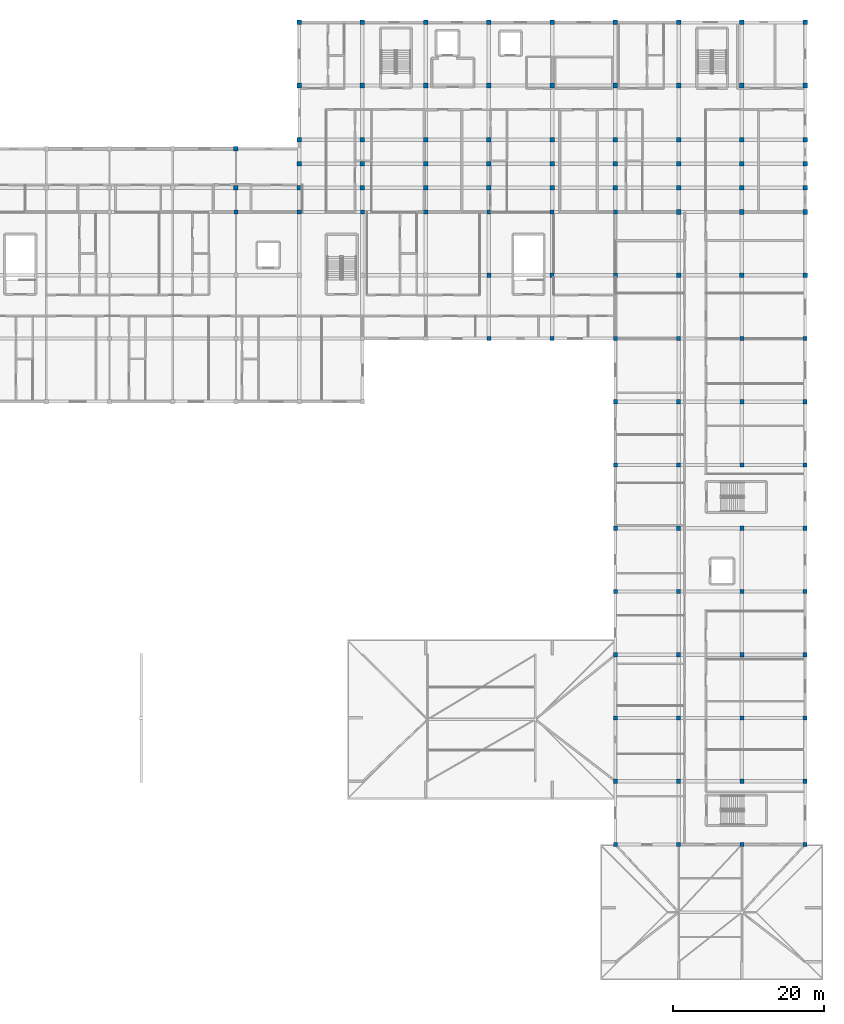
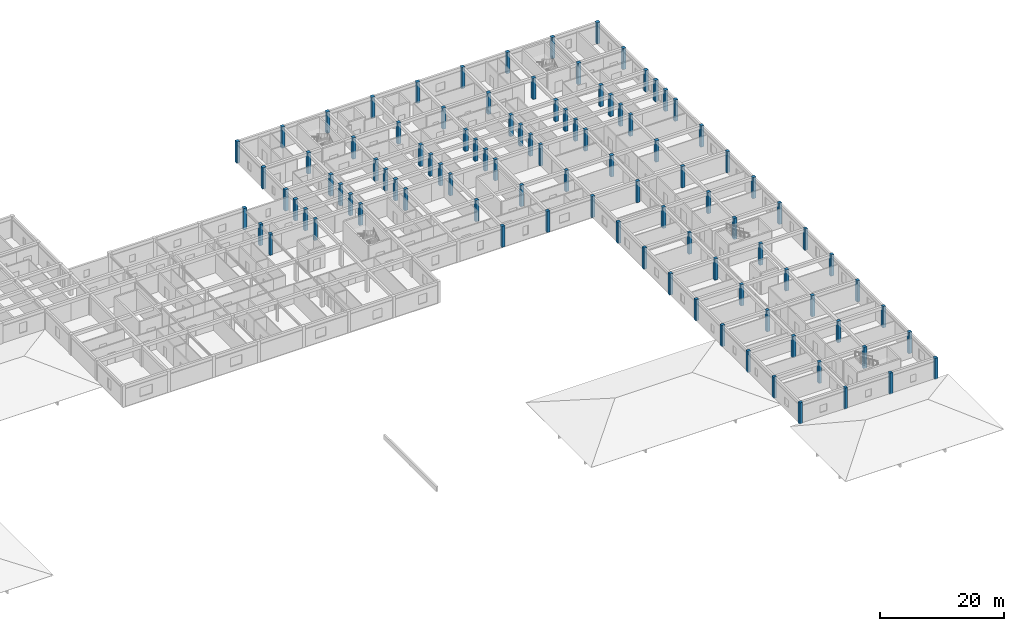
# One storey, part 5 of 42: 101 columns.
"""IFC4 building model written with IfcOpenShell, lengths in metres."""

from ifc_helpers import new_model, si_unit, direction, frame, origin, origin_2d, place, context, subcontext, project, spatial, rectangle, extrude, material, material_profile, profile_set, type_object, element, save


model = new_model("IFC4")

# Units and contexts
model_context = context("Model", 3, precision=1e-05, world=origin(), true_north=direction((0.0, 1.0)))
body_context = subcontext(model_context, "Body", "Model", "MODEL_VIEW")
ifc_project = project(units=[si_unit("LENGTHUNIT", "METRE"), si_unit("AREAUNIT", "SQUARE_METRE"), si_unit("VOLUMEUNIT", "CUBIC_METRE"), si_unit("PLANEANGLEUNIT", "RADIAN"), si_unit("MASSUNIT", "GRAM", prefix="KILO")], contexts=[model_context])

# Site, building, storey
site_placement = place(None, origin())
site = spatial("IfcSite", under=ifc_project, at=site_placement, CompositionType="ELEMENT")
building_placement = place(site_placement, origin())
building = spatial("IfcBuilding", under=site, at=building_placement, Name="Varncliffe General Hospital", CompositionType="ELEMENT")
storey_placement = place(building_placement, frame((0.0, 0.0, 20.39990234375)))
storey = spatial("IfcBuildingStorey", under=building, at=storey_placement, Name="L04", CompositionType="ELEMENT", Elevation=20.39990234375)

# Columns
ifc_material = material(Name="Concrete C40/50 (CSA A23.1 40 MPa)", Category="concrete")
ifc_material_profile_1 = material_profile(ifc_material, rectangle(XDim=0.550048828125, YDim=0.550048828125, at=origin_2d()), Name="RC 550x550")
ifc_profile_set_1 = profile_set([ifc_material_profile_1], Name="Concrete C40/50 (CSA A23.1 40 MPa)")
column_type_1 = type_object("IfcColumnType", Name="Column C26 (Ext RC 550x550)", PredefinedType="COLUMN", material=ifc_profile_set_1)
for number, where, z_axis, x_axis, name in (
    (1, (134.39990234375, 82.800048828125, 0.0), (0.0, 0.0, 1.0), (1.0, 0.0, 0.0), "L04 Column C26"),
    (2, (142.800048828125, 82.800048828125, 0.0), (0.0, 0.0, 1.0), (1.0, 0.0, 0.0), "L04 Column C26"),
    (3, (151.199951171875, 15.60009765625, 0.0), (0.0, 0.0, 1.0), (1.0, 0.0, 0.0), "L04 Column C26"),
    (4, (151.199951171875, 24.0, 0.0), (0.0, 0.0, 1.0), (1.0, 0.0, 0.0), "L04 Column C26"),
    (5, (151.199951171875, 32.39990234375, 0.0), (0.0, 0.0, 1.0), (1.0, 0.0, 0.0), "L04 Column C26"),
    (6, (151.199951171875, 40.800048828125, 0.0), (0.0, 0.0, 1.0), (1.0, 0.0, 0.0), "L04 Column C26"),
    (7, (151.199951171875, 49.199951171875, 0.0), (0.0, 0.0, 1.0), (1.0, 0.0, 0.0), "L04 Column C26"),
    (8, (151.199951171875, 57.60009765625, 0.0), (0.0, 0.0, 1.0), (1.0, 0.0, 0.0), "L04 Column C26"),
    (9, (151.199951171875, 66.0, 0.0), (0.0, 0.0, 1.0), (1.0, 0.0, 0.0), "L04 Column C26"),
    (10, (151.199951171875, 74.39990234375, 0.0), (0.0, 0.0, 1.0), (1.0, 0.0, 0.0), "L04 Column C26"),
    (11, (151.199951171875, 82.800048828125, 0.0), (0.0, 0.0, 1.0), (1.0, 0.0, 0.0), "L04 Column C26"),
    (12, (159.60009765625, 15.60009765625, 0.0), (0.0, 0.0, 1.0), (1.0, 0.0, 0.0), "L04 Column C26"),
    (13, (168.0, 15.60009765625, 0.0), (0.0, 0.0, 1.0), (1.0, 0.0, 0.0), "L04 Column C26"),
    (14, (176.39990234375, 15.60009765625, 0.0), (0.0, 0.0, 1.0), (1.0, 0.0, 0.0), "L04 Column C26"),
    (15, (176.39990234375, 24.0, 0.0), (0.0, 0.0, 1.0), (1.0, 0.0, 0.0), "L04 Column C26"),
    (16, (176.39990234375, 32.39990234375, 0.0), (0.0, 0.0, 1.0), (1.0, 0.0, 0.0), "L04 Column C26"),
    (17, (176.39990234375, 40.800048828125, 0.0), (0.0, 0.0, 1.0), (1.0, 0.0, 0.0), "L04 Column C26"),
    (18, (176.39990234375, 49.199951171875, 0.0), (0.0, 0.0, 1.0), (1.0, 0.0, 0.0), "L04 Column C26"),
    (19, (176.39990234375, 57.60009765625, 0.0), (0.0, 0.0, 1.0), (1.0, 0.0, 0.0), "L04 Column C26"),
    (20, (176.39990234375, 66.0, 0.0), (0.0, 0.0, 1.0), (1.0, 0.0, 0.0), "L04 Column C26"),
    (21, (176.39990234375, 74.39990234375, 0.0), (0.0, 0.0, 1.0), (1.0, 0.0, 0.0), "L04 Column C26"),
    (22, (176.39990234375, 82.800048828125, 0.0), (0.0, 0.0, 1.0), (1.0, 0.0, 0.0), "L04 Column C26"),
):
    element("IfcColumn", number, at=place(storey_placement, frame(where, z_axis=z_axis, x_axis=x_axis)), inside=storey, type_object=column_type_1, Name=name, PredefinedType="COLUMN", context=body_context, shape_type="SweptSolid", body=[
        extrude(rectangle(XDim=0.550048828125, YDim=0.550048828125, at=origin_2d()), origin(), (0.0, 0.0, 1.0), 4.2001953125),
    ])
ifc_material_profile_2 = material_profile(ifc_material, rectangle(XDim=0.60009765625, YDim=0.60009765625, at=origin_2d()), Name="RC 600x600")
ifc_profile_set_2 = profile_set([ifc_material_profile_2], Name="Concrete C40/50 (CSA A23.1 40 MPa)")
column_type_2 = type_object("IfcColumnType", Name="Column C27 (Ext RC 600x600)", PredefinedType="COLUMN", material=ifc_profile_set_2)
for number, where, z_axis, x_axis, name in (
    (23, (100.800048828125, 108.0, 0.0), (0.0, 0.0, 1.0), (1.0, 0.0, 0.0), "L04 Column C27"),
    (24, (109.199951171875, 109.199951171875, 0.0), (0.0, 0.0, 1.0), (1.0, 0.0, 0.0), "L04 Column C27"),
    (25, (109.199951171875, 116.39990234375, 0.0), (0.0, 0.0, 1.0), (1.0, 0.0, 0.0), "L04 Column C27"),
    (26, (109.199951171875, 124.800048828125, 0.0), (0.0, 0.0, 1.0), (1.0, 0.0, 0.0), "L04 Column C27"),
    (27, (117.60009765625, 124.800048828125, 0.0), (0.0, 0.0, 1.0), (1.0, 0.0, 0.0), "L04 Column C27"),
    (28, (126.0, 124.800048828125, 0.0), (0.0, 0.0, 1.0), (1.0, 0.0, 0.0), "L04 Column C27"),
    (29, (134.39990234375, 124.800048828125, 0.0), (0.0, 0.0, 1.0), (1.0, 0.0, 0.0), "L04 Column C27"),
    (30, (142.800048828125, 124.800048828125, 0.0), (0.0, 0.0, 1.0), (1.0, 0.0, 0.0), "L04 Column C27"),
    (31, (151.199951171875, 124.800048828125, 0.0), (0.0, 0.0, 1.0), (1.0, 0.0, 0.0), "L04 Column C27"),
    (32, (159.60009765625, 124.800048828125, 0.0), (0.0, 0.0, 1.0), (1.0, 0.0, 0.0), "L04 Column C27"),
    (33, (168.0, 124.800048828125, 0.0), (0.0, 0.0, 1.0), (1.0, 0.0, 0.0), "L04 Column C27"),
    (34, (176.39990234375, 91.199951171875, 0.0), (0.0, 0.0, 1.0), (1.0, 0.0, 0.0), "L04 Column C27"),
    (35, (176.39990234375, 99.60009765625, 0.0), (0.0, 0.0, 1.0), (1.0, 0.0, 0.0), "L04 Column C27"),
    (36, (176.39990234375, 102.800048828125, 0.0), (0.0, 0.0, 1.0), (1.0, 0.0, 0.0), "L04 Column C27"),
    (37, (176.39990234375, 106.0, 0.0), (0.0, 0.0, 1.0), (1.0, 0.0, 0.0), "L04 Column C27"),
    (38, (176.39990234375, 109.199951171875, 0.0), (0.0, 0.0, 1.0), (1.0, 0.0, 0.0), "L04 Column C27"),
    (39, (176.39990234375, 116.39990234375, 0.0), (0.0, 0.0, 1.0), (1.0, 0.0, 0.0), "L04 Column C27"),
    (40, (176.39990234375, 124.800048828125, 0.0), (0.0, 0.0, 1.0), (1.0, 0.0, 0.0), "L04 Column C27"),
):
    element("IfcColumn", number, at=place(storey_placement, frame(where, z_axis=z_axis, x_axis=x_axis)), inside=storey, type_object=column_type_2, Name=name, PredefinedType="COLUMN", context=body_context, shape_type="SweptSolid", body=[
        extrude(rectangle(XDim=0.60009765625, YDim=0.60009765625, at=origin_2d()), origin(), (0.0, 0.0, 1.0), 4.2001953125),
    ])
ifc_material_profile_3 = material_profile(ifc_material, rectangle(XDim=0.60009765625, YDim=0.60009765625, at=origin_2d()), Name="RC 600x600")
ifc_profile_set_3 = profile_set([ifc_material_profile_3], Name="Concrete C40/50 (CSA A23.1 40 MPa)")
column_type_3 = type_object("IfcColumnType", Name="Column C82 (Int RC 600x600)", PredefinedType="COLUMN", material=ifc_profile_set_3)
for number, where, z_axis, x_axis, name in (
    (41, (100.800048828125, 102.800048828125, 0.0), (0.0, 0.0, 1.0), (1.0, 0.0, 0.0), "L04 Column C82"),
    (42, (109.199951171875, 102.800048828125, 0.0), (0.0, 0.0, 1.0), (1.0, 0.0, 0.0), "L04 Column C82"),
    (43, (109.199951171875, 106.0, 0.0), (0.0, 0.0, 1.0), (1.0, 0.0, 0.0), "L04 Column C82"),
    (44, (117.60009765625, 102.800048828125, 0.0), (0.0, 0.0, 1.0), (1.0, 0.0, 0.0), "L04 Column C82"),
    (45, (117.60009765625, 106.0, 0.0), (0.0, 0.0, 1.0), (1.0, 0.0, 0.0), "L04 Column C82"),
    (46, (117.60009765625, 109.199951171875, 0.0), (0.0, 0.0, 1.0), (1.0, 0.0, 0.0), "L04 Column C82"),
    (47, (117.60009765625, 116.39990234375, 0.0), (0.0, 0.0, 1.0), (1.0, 0.0, 0.0), "L04 Column C82"),
    (48, (126.0, 102.800048828125, 0.0), (0.0, 0.0, 1.0), (1.0, 0.0, 0.0), "L04 Column C82"),
    (49, (126.0, 106.0, 0.0), (0.0, 0.0, 1.0), (1.0, 0.0, 0.0), "L04 Column C82"),
    (50, (126.0, 109.199951171875, 0.0), (0.0, 0.0, 1.0), (1.0, 0.0, 0.0), "L04 Column C82"),
    (51, (126.0, 116.39990234375, 0.0), (0.0, 0.0, 1.0), (1.0, 0.0, 0.0), "L04 Column C82"),
    (52, (134.39990234375, 102.800048828125, 0.0), (0.0, 0.0, 1.0), (1.0, 0.0, 0.0), "L04 Column C82"),
    (53, (134.39990234375, 106.0, 0.0), (0.0, 0.0, 1.0), (1.0, 0.0, 0.0), "L04 Column C82"),
    (54, (134.39990234375, 109.199951171875, 0.0), (0.0, 0.0, 1.0), (1.0, 0.0, 0.0), "L04 Column C82"),
    (55, (134.39990234375, 116.39990234375, 0.0), (0.0, 0.0, 1.0), (1.0, 0.0, 0.0), "L04 Column C82"),
    (56, (142.800048828125, 102.800048828125, 0.0), (0.0, 0.0, 1.0), (1.0, 0.0, 0.0), "L04 Column C82"),
    (57, (142.800048828125, 106.0, 0.0), (0.0, 0.0, 1.0), (1.0, 0.0, 0.0), "L04 Column C82"),
    (58, (142.800048828125, 109.199951171875, 0.0), (0.0, 0.0, 1.0), (1.0, 0.0, 0.0), "L04 Column C82"),
    (59, (142.800048828125, 116.39990234375, 0.0), (0.0, 0.0, 1.0), (1.0, 0.0, 0.0), "L04 Column C82"),
    (60, (151.199951171875, 102.800048828125, 0.0), (0.0, 0.0, 1.0), (1.0, 0.0, 0.0), "L04 Column C82"),
    (61, (151.199951171875, 106.0, 0.0), (0.0, 0.0, 1.0), (1.0, 0.0, 0.0), "L04 Column C82"),
    (62, (151.199951171875, 109.199951171875, 0.0), (0.0, 0.0, 1.0), (1.0, 0.0, 0.0), "L04 Column C82"),
    (63, (151.199951171875, 116.39990234375, 0.0), (0.0, 0.0, 1.0), (1.0, 0.0, 0.0), "L04 Column C82"),
    (64, (159.60009765625, 91.199951171875, 0.0), (0.0, 0.0, 1.0), (1.0, 0.0, 0.0), "L04 Column C82"),
    (65, (159.60009765625, 99.60009765625, 0.0), (0.0, 0.0, 1.0), (1.0, 0.0, 0.0), "L04 Column C82"),
    (66, (159.60009765625, 102.800048828125, 0.0), (0.0, 0.0, 1.0), (1.0, 0.0, 0.0), "L04 Column C82"),
    (67, (159.60009765625, 106.0, 0.0), (0.0, 0.0, 1.0), (1.0, 0.0, 0.0), "L04 Column C82"),
    (68, (159.60009765625, 109.199951171875, 0.0), (0.0, 0.0, 1.0), (1.0, 0.0, 0.0), "L04 Column C82"),
    (69, (159.60009765625, 116.39990234375, 0.0), (0.0, 0.0, 1.0), (1.0, 0.0, 0.0), "L04 Column C82"),
    (70, (168.0, 91.199951171875, 0.0), (0.0, 0.0, 1.0), (1.0, 0.0, 0.0), "L04 Column C82"),
    (71, (168.0, 99.60009765625, 0.0), (0.0, 0.0, 1.0), (1.0, 0.0, 0.0), "L04 Column C82"),
    (72, (168.0, 102.800048828125, 0.0), (0.0, 0.0, 1.0), (1.0, 0.0, 0.0), "L04 Column C82"),
    (73, (168.0, 106.0, 0.0), (0.0, 0.0, 1.0), (1.0, 0.0, 0.0), "L04 Column C82"),
    (74, (168.0, 109.199951171875, 0.0), (0.0, 0.0, 1.0), (1.0, 0.0, 0.0), "L04 Column C82"),
    (75, (168.0, 116.39990234375, 0.0), (0.0, 0.0, 1.0), (1.0, 0.0, 0.0), "L04 Column C82"),
):
    element("IfcColumn", number, at=place(storey_placement, frame(where, z_axis=z_axis, x_axis=x_axis)), inside=storey, type_object=column_type_3, Name=name, PredefinedType="COLUMN", context=body_context, shape_type="SweptSolid", body=[
        extrude(rectangle(XDim=0.60009765625, YDim=0.60009765625, at=origin_2d()), origin(), (0.0, 0.0, 1.0), 4.2001953125),
    ])
ifc_material_profile_4 = material_profile(ifc_material, rectangle(XDim=0.550048828125, YDim=0.550048828125, at=origin_2d()), Name="RC 550x550")
ifc_profile_set_4 = profile_set([ifc_material_profile_4], Name="Concrete C40/50 (CSA A23.1 40 MPa)")
column_type_4 = type_object("IfcColumnType", Name="Column C85 (Int RC 550x550)", PredefinedType="COLUMN", material=ifc_profile_set_4)
for number, where, z_axis, x_axis, name in (
    (76, (100.800048828125, 99.60009765625, 0.0), (0.0, 0.0, 1.0), (1.0, 0.0, 0.0), "L04 Column C85"),
    (77, (109.199951171875, 99.60009765625, 0.0), (0.0, 0.0, 1.0), (1.0, 0.0, 0.0), "L04 Column C85"),
    (78, (117.60009765625, 99.60009765625, 0.0), (0.0, 0.0, 1.0), (1.0, 0.0, 0.0), "L04 Column C85"),
    (79, (126.0, 99.60009765625, 0.0), (0.0, 0.0, 1.0), (1.0, 0.0, 0.0), "L04 Column C85"),
    (80, (134.39990234375, 91.199951171875, 0.0), (0.0, 0.0, 1.0), (1.0, 0.0, 0.0), "L04 Column C85"),
    (81, (134.39990234375, 99.60009765625, 0.0), (0.0, 0.0, 1.0), (1.0, 0.0, 0.0), "L04 Column C85"),
    (82, (142.800048828125, 91.199951171875, 0.0), (0.0, 0.0, 1.0), (1.0, 0.0, 0.0), "L04 Column C85"),
    (83, (142.800048828125, 99.60009765625, 0.0), (0.0, 0.0, 1.0), (1.0, 0.0, 0.0), "L04 Column C85"),
    (84, (151.199951171875, 91.199951171875, 0.0), (0.0, 0.0, 1.0), (1.0, 0.0, 0.0), "L04 Column C85"),
    (85, (151.199951171875, 99.60009765625, 0.0), (0.0, 0.0, 1.0), (1.0, 0.0, 0.0), "L04 Column C85"),
    (86, (159.60009765625, 24.0, 0.0), (0.0, 0.0, 1.0), (1.0, 0.0, 0.0), "L04 Column C85"),
    (87, (159.60009765625, 32.39990234375, 0.0), (0.0, 0.0, 1.0), (1.0, 0.0, 0.0), "L04 Column C85"),
    (88, (159.60009765625, 40.800048828125, 0.0), (0.0, 0.0, 1.0), (1.0, 0.0, 0.0), "L04 Column C85"),
    (89, (159.60009765625, 49.199951171875, 0.0), (0.0, 0.0, 1.0), (1.0, 0.0, 0.0), "L04 Column C85"),
    (90, (159.60009765625, 57.60009765625, 0.0), (0.0, 0.0, 1.0), (1.0, 0.0, 0.0), "L04 Column C85"),
    (91, (159.60009765625, 66.0, 0.0), (0.0, 0.0, 1.0), (1.0, 0.0, 0.0), "L04 Column C85"),
    (92, (159.60009765625, 74.39990234375, 0.0), (0.0, 0.0, 1.0), (1.0, 0.0, 0.0), "L04 Column C85"),
    (93, (159.60009765625, 82.800048828125, 0.0), (0.0, 0.0, 1.0), (1.0, 0.0, 0.0), "L04 Column C85"),
    (94, (168.0, 24.0, 0.0), (0.0, 0.0, 1.0), (1.0, 0.0, 0.0), "L04 Column C85"),
    (95, (168.0, 32.39990234375, 0.0), (0.0, 0.0, 1.0), (1.0, 0.0, 0.0), "L04 Column C85"),
    (96, (168.0, 40.800048828125, 0.0), (0.0, 0.0, 1.0), (1.0, 0.0, 0.0), "L04 Column C85"),
    (97, (168.0, 49.199951171875, 0.0), (0.0, 0.0, 1.0), (1.0, 0.0, 0.0), "L04 Column C85"),
    (98, (168.0, 57.60009765625, 0.0), (0.0, 0.0, 1.0), (1.0, 0.0, 0.0), "L04 Column C85"),
    (99, (168.0, 66.0, 0.0), (0.0, 0.0, 1.0), (1.0, 0.0, 0.0), "L04 Column C85"),
    (100, (168.0, 74.39990234375, 0.0), (0.0, 0.0, 1.0), (1.0, 0.0, 0.0), "L04 Column C85"),
    (101, (168.0, 82.800048828125, 0.0), (0.0, 0.0, 1.0), (1.0, 0.0, 0.0), "L04 Column C85"),
):
    element("IfcColumn", number, at=place(storey_placement, frame(where, z_axis=z_axis, x_axis=x_axis)), inside=storey, type_object=column_type_4, Name=name, PredefinedType="COLUMN", context=body_context, shape_type="SweptSolid", body=[
        extrude(rectangle(XDim=0.550048828125, YDim=0.550048828125, at=origin_2d()), origin(), (0.0, 0.0, 1.0), 4.2001953125),
    ])

save(model, "model.ifc")
